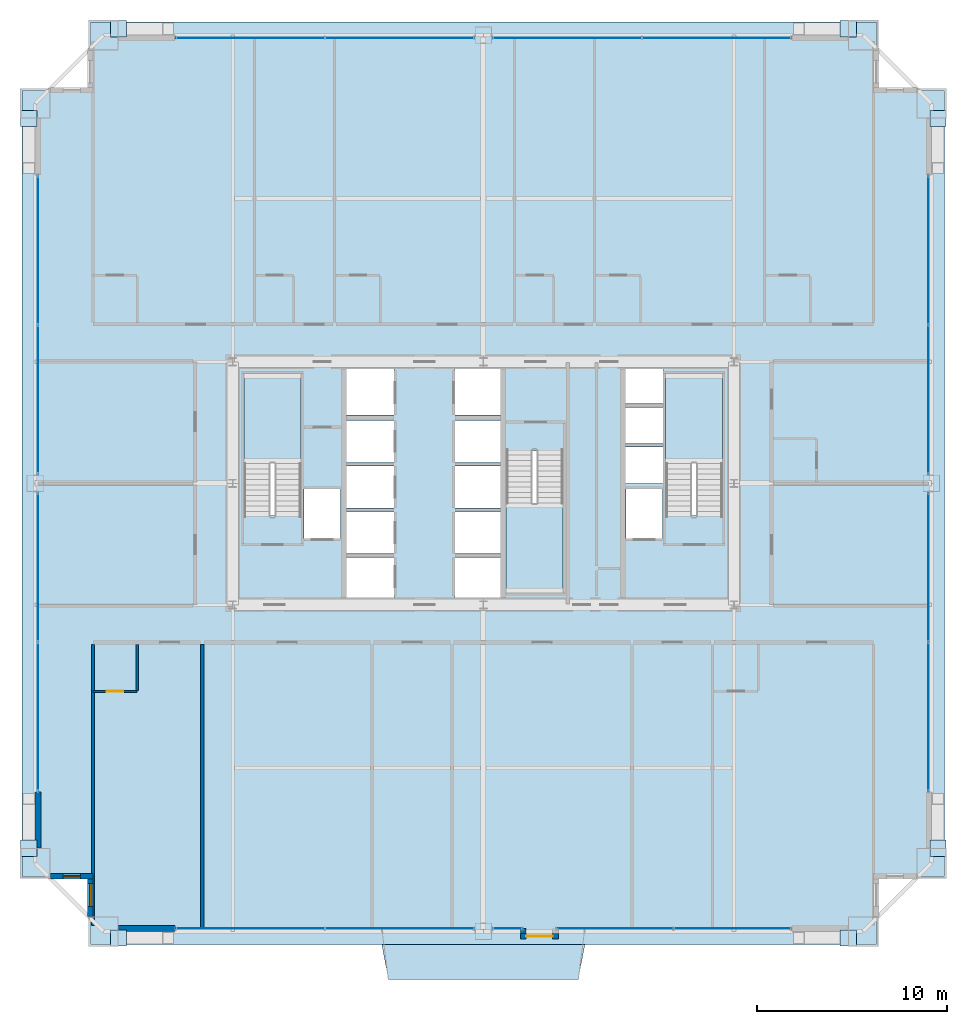
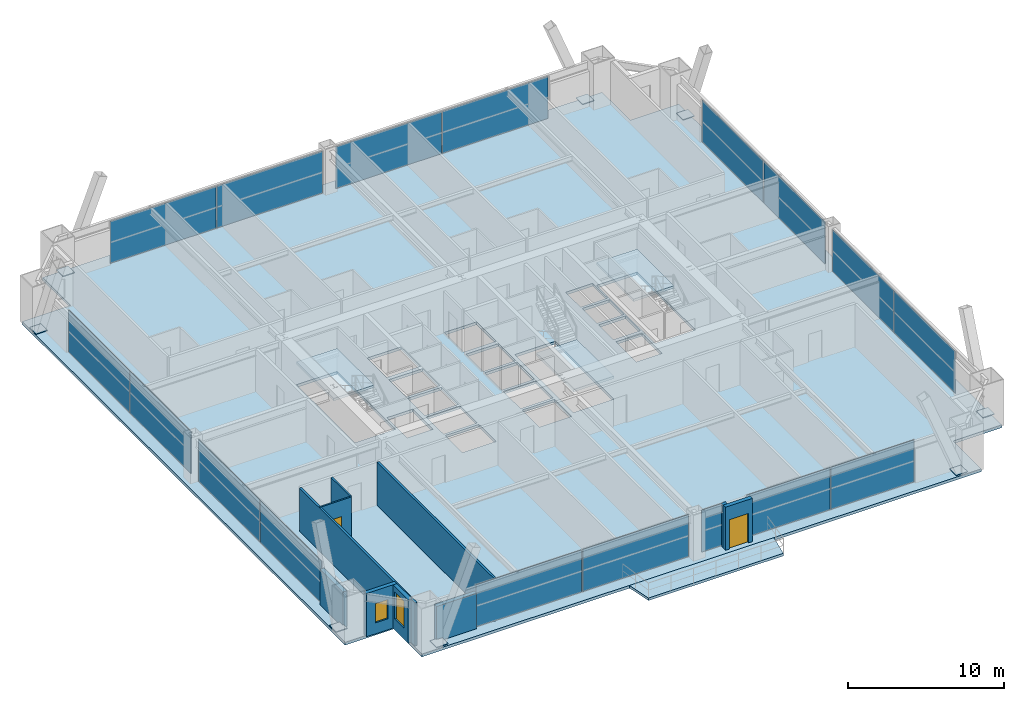
# One storey, part 36 of 41: 25 plates, 10 walls, 5 slabs, 2 doors, 2 windows, 4 openings, 12 elements without a shape of their own.
"""IFC4 building model written with IfcOpenShell, lengths in metres."""

from ifc_helpers import new_model, si_unit, direction, frame, frame_2d, origin, origin_2d, place, context, subcontext, project, spatial, polyline, rectangle, outline, extrude, source, transform, mapped, material, layer, layer_set, type_object, element, fill, aggregate, save


model = new_model("IFC4")

# Units and contexts
model_context = context("Model", 3, precision=1e-05, world=origin(), true_north=direction((0.0, 1.0)))
body_context = subcontext(model_context, "Body", "Model", "MODEL_VIEW")
ifc_project = project(units=[si_unit("LENGTHUNIT", "METRE"), si_unit("AREAUNIT", "SQUARE_METRE"), si_unit("VOLUMEUNIT", "CUBIC_METRE"), si_unit("PLANEANGLEUNIT", "RADIAN"), si_unit("MASSUNIT", "GRAM", prefix="KILO"), si_unit("THERMODYNAMICTEMPERATUREUNIT", "KELVIN"), si_unit("POWERUNIT", "WATT")], contexts=[model_context])

# Site, building, storey
site_placement = place(None, origin())
site = spatial("IfcSite", under=ifc_project, at=site_placement, CompositionType="ELEMENT")
building_placement = place(site_placement, origin())
building = spatial("IfcBuilding", under=site, at=building_placement, Name="Yuzanri Waterfront Tower", CompositionType="ELEMENT")
storey_placement = place(building_placement, frame((0.0, 0.0, 152.39990234375)))
storey = spatial("IfcBuildingStorey", under=building, at=storey_placement, Name="L40", CompositionType="ELEMENT", Elevation=152.39990234375)

# Slab
ifc_material_1 = material(Name="Concrete C40", Category="concrete")
ifc_layer_1 = layer(ifc_material_1, 0.199951171875)
ifc_layer_set_1 = layer_set([ifc_layer_1], Name="Concrete C40")
slab_type_1 = type_object("IfcSlabType", Name="Concrete C40 Cantilevered Engawa Wave Terrace Slab 200", PredefinedType="FLOOR", material=ifc_layer_set_1)
slab_1_placement = place(storey_placement, frame((0.0, 0.0, -0.199951171875)))
element("IfcSlab", 1, at=slab_1_placement, inside=storey, type_object=slab_type_1, Name="L40 S Cantilevered Engawa Terrace Slab", PredefinedType="FLOOR", context=body_context, shape_type="SweptSolid", body=[
    extrude(outline(polyline([(31.654052734375, 1.5), (42.345947265625, 1.5), (41.99609375, -0.33203125), (32.00390625, -0.33203125), (31.654052734375, 1.5)])), origin(), (0.0, 0.0, 1.0), 0.199951171875),
])

# Stair, slab
ifc_material_2 = material(Name="Concrete C40", Category="concrete")
stair_type = type_object("IfcStairType", Name="Concrete C40 Core Dogleg Exit Stair", PredefinedType="HALF_TURN_STAIR", material=ifc_material_2)
stair_1_placement = place(storey_placement, origin())
stair_1 = element("IfcStair", 2, at=stair_1_placement, inside=storey, type_object=stair_type, Name="L40 Smoke-Proof Core Stair ST-01", PredefinedType="HALF_TURN_STAIR")
ifc_material_3 = material(Name="Concrete C40", Category="concrete")
ifc_layer_2 = layer(ifc_material_3, 0.179931640625)
ifc_layer_set_2 = layer_set([ifc_layer_2], Name="Concrete C40")
slab_type_2 = type_object("IfcSlabType", Name="Concrete C40 Stair Half-Landing Slab 180", PredefinedType="LANDING", material=ifc_layer_set_2)
slab_2_placement = place(storey_placement, frame((0.0, 0.0, 1.60009765625)))
slab_2 = element("IfcSlab", 3, at=slab_2_placement, type_object=slab_type_2, Name="ST-01 landing 1", PredefinedType="LANDING", context=body_context, shape_type="SweptSolid", body=[
    extrude(outline(polyline([(27.39990234375, 26.840087890625), (27.39990234375, 31.580078125), (24.39990234375, 31.580078125), (24.39990234375, 26.840087890625), (27.39990234375, 26.840087890625)])), origin(), (0.0, 0.0, 1.0), 0.199951171875),
])
aggregate(stair_1, [slab_2])

stair_2_placement = place(storey_placement, origin())
stair_2 = element("IfcStair", 4, at=stair_2_placement, inside=storey, type_object=stair_type, Name="L40 Smoke-Proof Core Stair ST-02", PredefinedType="HALF_TURN_STAIR")
slab_3_placement = place(storey_placement, frame((0.0, 0.0, 1.60009765625)))
slab_3 = element("IfcSlab", 5, at=slab_3_placement, type_object=slab_type_2, Name="ST-02 landing 1", PredefinedType="LANDING", context=body_context, shape_type="SweptSolid", body=[
    extrude(outline(polyline([(49.60009765625, 26.840087890625), (49.60009765625, 31.580078125), (46.60009765625, 31.580078125), (46.60009765625, 26.840087890625), (49.60009765625, 26.840087890625)])), origin(), (0.0, 0.0, 1.0), 0.199951171875),
])
aggregate(stair_2, [slab_3])

stair_3_placement = place(storey_placement, origin())
stair_3 = element("IfcStair", 6, at=stair_3_placement, inside=storey, type_object=stair_type, Name="L40 Smoke-Proof Core Stair ST-03", PredefinedType="HALF_TURN_STAIR")
slab_4_placement = place(storey_placement, frame((0.0, 0.0, 1.60009765625)))
slab_4 = element("IfcSlab", 7, at=slab_4_placement, type_object=slab_type_2, Name="ST-03 landing 1", PredefinedType="LANDING", context=body_context, shape_type="SweptSolid", body=[
    extrude(outline(polyline([(38.199951171875, 24.760009765625), (38.199951171875, 20.02001953125), (41.199951171875, 20.02001953125), (41.199951171875, 24.760009765625), (38.199951171875, 24.760009765625)])), origin(), (0.0, 0.0, 1.0), 0.199951171875),
])
aggregate(stair_3, [slab_4])

# Slab
ifc_material_4 = material(Name="Concrete C40", Category="concrete")
ifc_layer_3 = layer(ifc_material_4, 0.219970703125)
ifc_layer_set_3 = layer_set([ifc_layer_3], Name="Concrete C40")
slab_type_3 = type_object("IfcSlabType", Name="Concrete C40 Tower Typical Structural Floor Slab 220", PredefinedType="FLOOR", material=ifc_layer_set_3)
slab_5_placement = place(storey_placement, frame((0.0, 0.0, -0.219970703125)))
element("IfcSlab", 8, at=slab_5_placement, inside=storey, type_object=slab_type_3, Name="L40 Main Structural Floor Slab", PredefinedType="FLOOR", context=body_context, shape_type="SweptSolid", body=[
    extrude(outline(polyline([(16.300048828125, 1.5), (57.699951171875, 1.5), (57.699951171875, 5.10009765625), (61.300048828125, 5.10009765625), (61.300048828125, 46.5), (57.699951171875, 46.5), (57.699951171875, 50.10009765625), (16.300048828125, 50.10009765625), (16.300048828125, 46.5), (12.699951171875, 46.5), (12.699951171875, 5.10009765625), (16.300048828125, 5.10009765625), (16.300048828125, 1.5)]), holes=[polyline([(27.39990234375, 24.10009765625), (27.39990234375, 31.580078125), (24.39990234375, 31.580078125), (24.39990234375, 24.10009765625), (27.39990234375, 24.10009765625)]), polyline([(49.60009765625, 24.10009765625), (49.60009765625, 31.580078125), (46.60009765625, 31.580078125), (46.60009765625, 24.10009765625), (49.60009765625, 24.10009765625)]), polyline([(38.199951171875, 27.5), (38.199951171875, 20.02001953125), (41.199951171875, 20.02001953125), (41.199951171875, 27.5), (38.199951171875, 27.5)]), polyline([(27.56005859375, 22.89990234375), (29.47998046875, 22.89990234375), (29.47998046875, 25.5), (27.56005859375, 25.5), (27.56005859375, 22.89990234375)]), polyline([(44.52001953125, 22.89990234375), (46.43994140625, 22.89990234375), (46.43994140625, 25.5), (44.52001953125, 25.5), (44.52001953125, 22.89990234375)]), polyline([(29.800048828125, 19.699951171875), (32.300048828125, 19.699951171875), (32.300048828125, 21.89990234375), (29.800048828125, 21.89990234375), (29.800048828125, 19.699951171875)]), polyline([(29.800048828125, 22.10009765625), (32.300048828125, 22.10009765625), (32.300048828125, 24.300048828125), (29.800048828125, 24.300048828125), (29.800048828125, 22.10009765625)]), polyline([(29.800048828125, 24.5), (32.300048828125, 24.5), (32.300048828125, 26.699951171875), (29.800048828125, 26.699951171875), (29.800048828125, 24.5)]), polyline([(29.800048828125, 26.89990234375), (32.300048828125, 26.89990234375), (32.300048828125, 29.10009765625), (29.800048828125, 29.10009765625), (29.800048828125, 26.89990234375)]), polyline([(29.800048828125, 29.39990234375), (32.300048828125, 29.39990234375), (32.300048828125, 31.89990234375), (29.800048828125, 31.89990234375), (29.800048828125, 29.39990234375)]), polyline([(35.5, 19.699951171875), (37.89990234375, 19.699951171875), (37.89990234375, 21.89990234375), (35.5, 21.89990234375), (35.5, 19.699951171875)]), polyline([(35.5, 22.10009765625), (37.89990234375, 22.10009765625), (37.89990234375, 24.300048828125), (35.5, 24.300048828125), (35.5, 22.10009765625)]), polyline([(35.5, 24.5), (37.89990234375, 24.5), (37.89990234375, 26.699951171875), (35.5, 26.699951171875), (35.5, 24.5)]), polyline([(35.5, 26.89990234375), (37.89990234375, 26.89990234375), (37.89990234375, 29.10009765625), (35.5, 29.10009765625), (35.5, 26.89990234375)]), polyline([(35.5, 29.39990234375), (37.89990234375, 29.39990234375), (37.89990234375, 31.89990234375), (35.5, 31.89990234375), (35.5, 29.39990234375)]), polyline([(44.5, 25.800048828125), (46.5, 25.800048828125), (46.5, 27.699951171875), (44.5, 27.699951171875), (44.5, 25.800048828125)]), polyline([(44.5, 27.89990234375), (46.5, 27.89990234375), (46.5, 29.800048828125), (44.5, 29.800048828125), (44.5, 27.89990234375)]), polyline([(44.5, 30.0), (46.5, 30.0), (46.5, 31.89990234375), (44.5, 31.89990234375), (44.5, 30.0)])]), origin(), (0.0, 0.0, 1.0), 0.219970703125),
])

# Plates
ifc_material_5 = material(Name="Steel Q420GJC", Category="steel")
ifc_layer_4 = layer(ifc_material_5, 0.0400390625)
ifc_layer_set_4 = layer_set([ifc_layer_4], Name="Steel Q420GJC")
plate_type_1 = type_object("IfcPlateType", Name="Steel Q420GJC Mega-Brace Gusset and End-Cap Plate 40", PredefinedType="SHEET", material=ifc_layer_set_4)
shared_shape_1 = source(origin(), body_context, "Body", "SweptSolid", [
    extrude(rectangle(XDim=0.85009765625, YDim=0.85009765625, at=origin_2d()), origin(), (0.0, 0.0, 1.0), 0.0400390625),
])
for number, where, z_axis, x_axis, name in (
    (9, (17.780029296875, 1.860107421875, 0.16015625), (0.0, 0.0, 1.0), (1.0, 0.0, 0.0), "L40 Mega-Brace Foot Cap Plate S-L"),
    (10, (56.219970703125, 1.860107421875, 0.16015625), (0.0, 0.0, 1.0), (1.0, 0.0, 0.0), "L40 Mega-Brace Foot Cap Plate S-R"),
    (11, (17.780029296875, 49.739990234375, 0.16015625), (0.0, 0.0, 1.0), (1.0, 0.0, 0.0), "L40 Mega-Brace Foot Cap Plate N-L"),
    (12, (56.219970703125, 49.739990234375, 0.16015625), (0.0, 0.0, 1.0), (1.0, 0.0, 0.0), "L40 Mega-Brace Foot Cap Plate N-R"),
    (13, (13.06005859375, 6.580078125, 0.16015625), (0.0, 0.0, 1.0), (1.0, 0.0, 0.0), "L40 Mega-Brace Foot Cap Plate W-L"),
    (14, (13.06005859375, 45.02001953125, 0.16015625), (0.0, 0.0, 1.0), (1.0, 0.0, 0.0), "L40 Mega-Brace Foot Cap Plate W-R"),
    (15, (60.93994140625, 6.580078125, 0.16015625), (0.0, 0.0, 1.0), (1.0, 0.0, 0.0), "L40 Mega-Brace Foot Cap Plate E-L"),
    (16, (60.93994140625, 45.02001953125, 0.16015625), (0.0, 0.0, 1.0), (1.0, 0.0, 0.0), "L40 Mega-Brace Foot Cap Plate E-R"),
):
    element("IfcPlate", number, at=place(storey_placement, frame(where, z_axis=z_axis, x_axis=x_axis)), inside=storey, type_object=plate_type_1, Name=name, PredefinedType="SHEET", context=body_context, shape_type="MappedRepresentation", body=[
        mapped(shared_shape_1, transform((0.0, 0.0, 0.0), scale=1.0)),
    ])

# Curtain wall, plates
ifc_material_6 = material(Name="Anodized Architectural Bronze", Category="metal")
ifc_layer_5 = layer(ifc_material_6, 0.159912109375)
ifc_layer_set_5 = layer_set([ifc_layer_5], Name="Anodized Architectural Bronze")
curtain_wall_type = type_object("IfcCurtainWallType", Name="Anodized Bronze Hotel Upper-Tier Solar-Control Unitized Curtain Wall 7800", PredefinedType="NOTDEFINED", material=ifc_layer_set_5)
curtain_wall_1_placement = place(storey_placement, origin())
curtain_wall_1 = element("IfcCurtainWall", 17, at=curtain_wall_1_placement, inside=storey, type_object=curtain_wall_type, Name="L40 Curtain Wall CW-L40-SL", PredefinedType="NOTDEFINED")
ifc_material_7 = material(Name="Double-Silver Low-E Insulated Glass", Category="glass")
ifc_layer_6 = layer(ifc_material_7, 0.035888671875)
ifc_layer_set_6 = layer_set([ifc_layer_6], Name="Double-Silver Low-E Insulated Glass")
plate_type_2 = type_object("IfcPlateType", Name="Double Silver Low-E Insulated Vision Glass Panel 36", PredefinedType="CURTAIN_PANEL", material=ifc_layer_set_6)
shared_shape_2 = source(origin(), body_context, "Body", "SweptSolid", [
    extrude(rectangle(XDim=7.820068359375, YDim=0.035888671875, at=origin_2d()), origin(), (0.0, 0.0, 1.0), 3.280029296875),
])
plate_1_placement = place(storey_placement, frame((24.699951171875, 2.35009765625, 0.05029296875), z_axis=(0.0, 0.0, 1.0), x_axis=(1.0, 0.0, 0.0)))
plate_1 = element("IfcPlate", 18, at=plate_1_placement, type_object=plate_type_2, Name="CW-L40-SL Vision Glass Panel 01", PredefinedType="CURTAIN_PANEL", context=body_context, shape_type="MappedRepresentation", body=[
    mapped(shared_shape_2, transform((0.0, 0.0, 0.0), scale=1.0)),
])
plate_2_placement = place(storey_placement, frame((32.60009765625, 2.35009765625, 0.05029296875), z_axis=(0.0, 0.0, 1.0), x_axis=(1.0, 0.0, 0.0)))
plate_2 = element("IfcPlate", 19, at=plate_2_placement, type_object=plate_type_2, Name="CW-L40-SL Vision Glass Panel 02", PredefinedType="CURTAIN_PANEL", context=body_context, shape_type="MappedRepresentation", body=[
    mapped(shared_shape_2, transform((0.0, 0.0, 0.0), scale=1.0)),
])
aggregate(curtain_wall_1, [plate_1, plate_2])

curtain_wall_2_placement = place(storey_placement, origin())
curtain_wall_2 = element("IfcCurtainWall", 20, at=curtain_wall_2_placement, inside=storey, type_object=curtain_wall_type, Name="L40 Curtain Wall CW-L40-NL", PredefinedType="NOTDEFINED")
plate_3_placement = place(storey_placement, frame((24.699951171875, 49.25, 0.05029296875), z_axis=(0.0, 0.0, 1.0), x_axis=(1.0, 0.0, 0.0)))
plate_3 = element("IfcPlate", 21, at=plate_3_placement, type_object=plate_type_2, Name="CW-L40-NL Vision Glass Panel 01", PredefinedType="CURTAIN_PANEL", context=body_context, shape_type="MappedRepresentation", body=[
    mapped(shared_shape_2, transform((0.0, 0.0, 0.0), scale=1.0)),
])
plate_4_placement = place(storey_placement, frame((32.60009765625, 49.25, 0.05029296875), z_axis=(0.0, 0.0, 1.0), x_axis=(1.0, 0.0, 0.0)))
plate_4 = element("IfcPlate", 22, at=plate_4_placement, type_object=plate_type_2, Name="CW-L40-NL Vision Glass Panel 02", PredefinedType="CURTAIN_PANEL", context=body_context, shape_type="MappedRepresentation", body=[
    mapped(shared_shape_2, transform((0.0, 0.0, 0.0), scale=1.0)),
])
aggregate(curtain_wall_2, [plate_3, plate_4])

curtain_wall_3_placement = place(storey_placement, origin())
curtain_wall_3 = element("IfcCurtainWall", 23, at=curtain_wall_3_placement, inside=storey, type_object=curtain_wall_type, Name="L40 Curtain Wall CW-L40-NR", PredefinedType="NOTDEFINED")
plate_5_placement = place(storey_placement, frame((41.39990234375, 49.25, 0.05029296875), z_axis=(0.0, 0.0, 1.0), x_axis=(1.0, 0.0, 0.0)))
plate_5 = element("IfcPlate", 24, at=plate_5_placement, type_object=plate_type_2, Name="CW-L40-NR Vision Glass Panel 01", PredefinedType="CURTAIN_PANEL", context=body_context, shape_type="MappedRepresentation", body=[
    mapped(shared_shape_2, transform((0.0, 0.0, 0.0), scale=1.0)),
])
plate_6_placement = place(storey_placement, frame((49.300048828125, 49.25, 0.05029296875), z_axis=(0.0, 0.0, 1.0), x_axis=(1.0, 0.0, 0.0)))
plate_6 = element("IfcPlate", 25, at=plate_6_placement, type_object=plate_type_2, Name="CW-L40-NR Vision Glass Panel 02", PredefinedType="CURTAIN_PANEL", context=body_context, shape_type="MappedRepresentation", body=[
    mapped(shared_shape_2, transform((0.0, 0.0, 0.0), scale=1.0)),
])
aggregate(curtain_wall_3, [plate_5, plate_6])

curtain_wall_4_placement = place(storey_placement, origin())
curtain_wall_4 = element("IfcCurtainWall", 26, at=curtain_wall_4_placement, inside=storey, type_object=curtain_wall_type, Name="L40 Curtain Wall CW-L40-WL", PredefinedType="NOTDEFINED")
plate_7_placement = place(storey_placement, frame((13.550048828125, 13.5, 0.05029296875), z_axis=(0.0, 0.0, 1.0), x_axis=(0.0, 1.0, 0.0)))
plate_7 = element("IfcPlate", 27, at=plate_7_placement, type_object=plate_type_2, Name="CW-L40-WL Vision Glass Panel 01", PredefinedType="CURTAIN_PANEL", context=body_context, shape_type="MappedRepresentation", body=[
    mapped(shared_shape_2, transform((0.0, 0.0, 0.0), scale=1.0)),
])
plate_8_placement = place(storey_placement, frame((13.550048828125, 21.39990234375, 0.05029296875), z_axis=(0.0, 0.0, 1.0), x_axis=(0.0, 1.0, 0.0)))
plate_8 = element("IfcPlate", 28, at=plate_8_placement, type_object=plate_type_2, Name="CW-L40-WL Vision Glass Panel 02", PredefinedType="CURTAIN_PANEL", context=body_context, shape_type="MappedRepresentation", body=[
    mapped(shared_shape_2, transform((0.0, 0.0, 0.0), scale=1.0)),
])
aggregate(curtain_wall_4, [plate_7, plate_8])

curtain_wall_5_placement = place(storey_placement, origin())
curtain_wall_5 = element("IfcCurtainWall", 29, at=curtain_wall_5_placement, inside=storey, type_object=curtain_wall_type, Name="L40 Curtain Wall CW-L40-WR", PredefinedType="NOTDEFINED")
plate_9_placement = place(storey_placement, frame((13.550048828125, 30.199951171875, 0.05029296875), z_axis=(0.0, 0.0, 1.0), x_axis=(0.0, 1.0, 0.0)))
plate_9 = element("IfcPlate", 30, at=plate_9_placement, type_object=plate_type_2, Name="CW-L40-WR Vision Glass Panel 01", PredefinedType="CURTAIN_PANEL", context=body_context, shape_type="MappedRepresentation", body=[
    mapped(shared_shape_2, transform((0.0, 0.0, 0.0), scale=1.0)),
])
plate_10_placement = place(storey_placement, frame((13.550048828125, 38.10009765625, 0.05029296875), z_axis=(0.0, 0.0, 1.0), x_axis=(0.0, 1.0, 0.0)))
plate_10 = element("IfcPlate", 31, at=plate_10_placement, type_object=plate_type_2, Name="CW-L40-WR Vision Glass Panel 02", PredefinedType="CURTAIN_PANEL", context=body_context, shape_type="MappedRepresentation", body=[
    mapped(shared_shape_2, transform((0.0, 0.0, 0.0), scale=1.0)),
])
aggregate(curtain_wall_5, [plate_9, plate_10])

curtain_wall_6_placement = place(storey_placement, origin())
curtain_wall_6 = element("IfcCurtainWall", 32, at=curtain_wall_6_placement, inside=storey, type_object=curtain_wall_type, Name="L40 Curtain Wall CW-L40-EL", PredefinedType="NOTDEFINED")
plate_11_placement = place(storey_placement, frame((60.449951171875, 13.5, 0.05029296875), z_axis=(0.0, 0.0, 1.0), x_axis=(0.0, 1.0, 0.0)))
plate_11 = element("IfcPlate", 33, at=plate_11_placement, type_object=plate_type_2, Name="CW-L40-EL Vision Glass Panel 01", PredefinedType="CURTAIN_PANEL", context=body_context, shape_type="MappedRepresentation", body=[
    mapped(shared_shape_2, transform((0.0, 0.0, 0.0), scale=1.0)),
])
plate_12_placement = place(storey_placement, frame((60.449951171875, 21.39990234375, 0.05029296875), z_axis=(0.0, 0.0, 1.0), x_axis=(0.0, 1.0, 0.0)))
plate_12 = element("IfcPlate", 34, at=plate_12_placement, type_object=plate_type_2, Name="CW-L40-EL Vision Glass Panel 02", PredefinedType="CURTAIN_PANEL", context=body_context, shape_type="MappedRepresentation", body=[
    mapped(shared_shape_2, transform((0.0, 0.0, 0.0), scale=1.0)),
])
aggregate(curtain_wall_6, [plate_11, plate_12])

curtain_wall_7_placement = place(storey_placement, origin())
curtain_wall_7 = element("IfcCurtainWall", 35, at=curtain_wall_7_placement, inside=storey, type_object=curtain_wall_type, Name="L40 Curtain Wall CW-L40-ER", PredefinedType="NOTDEFINED")
plate_13_placement = place(storey_placement, frame((60.449951171875, 30.199951171875, 0.05029296875), z_axis=(0.0, 0.0, 1.0), x_axis=(0.0, 1.0, 0.0)))
plate_13 = element("IfcPlate", 36, at=plate_13_placement, type_object=plate_type_2, Name="CW-L40-ER Vision Glass Panel 01", PredefinedType="CURTAIN_PANEL", context=body_context, shape_type="MappedRepresentation", body=[
    mapped(shared_shape_2, transform((0.0, 0.0, 0.0), scale=1.0)),
])
plate_14_placement = place(storey_placement, frame((60.449951171875, 38.10009765625, 0.05029296875), z_axis=(0.0, 0.0, 1.0), x_axis=(0.0, 1.0, 0.0)))
plate_14 = element("IfcPlate", 37, at=plate_14_placement, type_object=plate_type_2, Name="CW-L40-ER Vision Glass Panel 02", PredefinedType="CURTAIN_PANEL", context=body_context, shape_type="MappedRepresentation", body=[
    mapped(shared_shape_2, transform((0.0, 0.0, 0.0), scale=1.0)),
])
aggregate(curtain_wall_7, [plate_13, plate_14])

# Curtain wall, plate
curtain_wall_8_placement = place(storey_placement, origin())
curtain_wall_8 = element("IfcCurtainWall", 38, at=curtain_wall_8_placement, inside=storey, type_object=curtain_wall_type, Name="L40 Curtain Wall CW-L40-SR1", PredefinedType="NOTDEFINED")
shared_shape_3 = source(origin(), body_context, "Body", "SweptSolid", [
    extrude(rectangle(XDim=1.568115234375, YDim=0.035888671875, at=origin_2d()), origin(), (0.0, 0.0, 1.0), 3.280029296875),
])
plate_15_placement = place(storey_placement, frame((38.27392578125, 2.35009765625, 0.05029296875), z_axis=(0.0, 0.0, 1.0), x_axis=(1.0, 0.0, 0.0)))
plate_15 = element("IfcPlate", 39, at=plate_15_placement, type_object=plate_type_2, Name="CW-L40-SR1 Vision Glass Panel 01", PredefinedType="CURTAIN_PANEL", context=body_context, shape_type="MappedRepresentation", body=[
    mapped(shared_shape_3, transform((0.0, 0.0, 0.0), scale=1.0)),
])
aggregate(curtain_wall_8, [plate_15])

# Curtain wall, plates
curtain_wall_9_placement = place(storey_placement, origin())
curtain_wall_9 = element("IfcCurtainWall", 40, at=curtain_wall_9_placement, inside=storey, type_object=curtain_wall_type, Name="L40 Curtain Wall CW-L40-SR2", PredefinedType="NOTDEFINED")
shared_shape_4 = source(origin(), body_context, "Body", "SweptSolid", [
    extrude(rectangle(XDim=6.14599609375, YDim=0.035888671875, at=origin_2d()), origin(), (0.0, 0.0, 1.0), 3.280029296875),
])
plate_16_placement = place(storey_placement, frame((43.910888671875, 2.35009765625, 0.05029296875), z_axis=(0.0, 0.0, 1.0), x_axis=(1.0, 0.0, 0.0)))
plate_16 = element("IfcPlate", 41, at=plate_16_placement, type_object=plate_type_2, Name="CW-L40-SR2 Vision Glass Panel 01", PredefinedType="CURTAIN_PANEL", context=body_context, shape_type="MappedRepresentation", body=[
    mapped(shared_shape_4, transform((0.0, 0.0, 0.0), scale=1.0)),
])
plate_17_placement = place(storey_placement, frame((50.136962890625, 2.35009765625, 0.05029296875), z_axis=(0.0, 0.0, 1.0), x_axis=(1.0, 0.0, 0.0)))
plate_17 = element("IfcPlate", 42, at=plate_17_placement, type_object=plate_type_2, Name="CW-L40-SR2 Vision Glass Panel 02", PredefinedType="CURTAIN_PANEL", context=body_context, shape_type="MappedRepresentation", body=[
    mapped(shared_shape_4, transform((0.0, 0.0, 0.0), scale=1.0)),
])
aggregate(curtain_wall_9, [plate_16, plate_17])

# Wall, opening, door
ifc_material_8 = material(Name="Moisture-Resistant Gypsum Stud Wall", Category="gypsum")
ifc_layer_7 = layer(ifc_material_8, 0.1201171875)
ifc_layer_set_7 = layer_set([ifc_layer_7], Name="Moisture-Resistant Gypsum Stud Wall")
wall_type_1 = type_object("IfcWallType", Name="Bathroom and Kitchen Wet Partition 120", PredefinedType="PARTITIONING", material=ifc_layer_set_7)
wall_1_placement = place(storey_placement, frame((16.43994140625, 14.840087890625, 0.0), z_axis=(0.0, 0.0, 1.0), x_axis=(1.0, 0.0, 0.0)))
wall_1 = element("IfcWall", 43, at=wall_1_placement, inside=storey, type_object=wall_type_1, Name="L40 Partition UW-L40-S1-BS", PredefinedType="PARTITIONING", context=body_context, shape_type="SweptSolid", body=[
    extrude(rectangle(XDim=2.330078125, YDim=0.1201171875, at=frame_2d((1.1650390625, 0.0))), origin(), (0.0, 0.0, 1.0), 3.380126953125),
])
opening_1_placement = place(wall_1_placement, frame((0.739990234375, 0.0, 0.0)))
opening_1 = element("IfcOpeningElement", 44, at=opening_1_placement, cuts=wall_1, Name="Opening ID-0850", PredefinedType="OPENING", context=body_context, shape_type="SweptSolid", body=[
    extrude(rectangle(XDim=0.85009765625, YDim=2.10009765625, at=frame_2d((0.425048828125, 1.050048828125))), frame((0.0, 0.074951171875, 0.0), z_axis=(0.0, -1.0, 0.0), x_axis=(1.0, 0.0, 0.0)), (0.0, 0.0, 1.0), 0.14990234375),
])
ifc_material_9 = material(Name="Moisture-Resistant Lacquered Timber", Category="wood")
door_type_1 = type_object("IfcDoorType", Name="En-Suite Bathroom and Kitchen Swing Door 850x2100", OperationType="NOTDEFINED", PredefinedType="DOOR", material=ifc_material_9)
shared_shape_5 = source(origin(), body_context, "Body", "SweptSolid", [
    extrude(rectangle(XDim=0.85009765625, YDim=2.10009765625, at=frame_2d((0.425048828125, 1.050048828125))), frame((0.0, 0.02490234375, 0.0), z_axis=(0.0, -1.0, 0.0), x_axis=(1.0, 0.0, 0.0)), (0.0, 0.0, 1.0), 0.050048828125),
])
door_1_placement = place(opening_1_placement, origin())
door_1 = element("IfcDoor", 45, at=door_1_placement, inside=storey, type_object=door_type_1, Name="L40 Guest En-Suite Door", OperationType="SINGLE_SWING_LEFT", OverallHeight=2.10009765625, OverallWidth=0.85009765625, PredefinedType="DOOR", context=body_context, shape_type="MappedRepresentation", body=[
    mapped(shared_shape_5, transform((0.0, 0.0, 0.0), scale=1.0)),
])
fill(opening_1, door_1)

# Wall, opening, window
ifc_material_10 = material(Name="Honed Chongqing Dark Basalt Stone", Category="masonry")
ifc_layer_8 = layer(ifc_material_10, 0.300048828125)
ifc_layer_set_8 = layer_set([ifc_layer_8], Name="Honed Chongqing Dark Basalt Stone")
wall_type_2 = type_object("IfcWallType", Name="Bronze Rainscreen Insulated Spandrel Portal Wall 300", PredefinedType="SOLIDWALL", material=ifc_layer_set_8)
wall_2_placement = place(storey_placement, frame((14.199951171875, 5.10009765625, 0.0), z_axis=(0.0, 0.0, 1.0), x_axis=(1.0, 0.0, 0.0)))
wall_2 = element("IfcWall", 46, at=wall_2_placement, inside=storey, type_object=wall_type_2, Name="L40 Notched Corner Masonry Wall SW-X", PredefinedType="SOLIDWALL", context=body_context, shape_type="SweptSolid", body=[
    extrude(rectangle(XDim=2.25, YDim=0.300048828125, at=frame_2d((1.125, 0.0))), origin(), (0.0, 0.0, 1.0), 3.380126953125),
])
opening_2_placement = place(wall_2_placement, frame((0.675048828125, 0.0, 0.85009765625)))
opening_2 = element("IfcOpeningElement", 47, at=opening_2_placement, cuts=wall_2, Name="Opening WN-05", PredefinedType="OPENING", context=body_context, shape_type="SweptSolid", body=[
    extrude(rectangle(XDim=0.89990234375, YDim=1.5, at=frame_2d((0.449951171875, 0.75))), frame((0.0, 0.1650390625, 0.0), z_axis=(0.0, -1.0, 0.0), x_axis=(1.0, 0.0, 0.0)), (0.0, 0.0, 1.0), 0.329833984375),
])
ifc_material_11 = material(Name="Double-Silver Low-E Insulated Glass", Category="glass")
window_type_1 = type_object("IfcWindowType", Name="Anodized Bronze Service and Stairwell Smoke-Vent Window 900x1500", PartitioningType="SINGLE_PANEL", PredefinedType="WINDOW", material=ifc_material_11)
shared_shape_6 = source(origin(), body_context, "Body", "SweptSolid", [
    extrude(rectangle(XDim=0.89990234375, YDim=1.5, at=frame_2d((0.449951171875, 0.75))), frame((0.0, 0.030029296875, 0.0), z_axis=(0.0, -1.0, 0.0), x_axis=(1.0, 0.0, 0.0)), (0.0, 0.0, 1.0), 0.06005859375),
])
window_1_placement = place(opening_2_placement, origin())
window_1 = element("IfcWindow", 48, at=window_1_placement, inside=storey, type_object=window_type_1, Name="L40 Notched Corner Window SW-X", OverallHeight=1.5, OverallWidth=0.89990234375, PartitioningType="SINGLE_PANEL", PredefinedType="WINDOW", context=body_context, shape_type="MappedRepresentation", body=[
    mapped(shared_shape_6, transform((0.0, 0.0, 0.0), scale=1.0)),
])
fill(opening_2, window_1)

wall_3_placement = place(storey_placement, frame((16.300048828125, 5.25, 0.0), z_axis=(0.0, 0.0, 1.0), x_axis=(0.0, -1.0, 0.0)))
wall_3 = element("IfcWall", 49, at=wall_3_placement, inside=storey, type_object=wall_type_2, Name="L40 Notched Corner Masonry Wall SW-Y", PredefinedType="SOLIDWALL", context=body_context, shape_type="SweptSolid", body=[
    extrude(rectangle(XDim=2.25, YDim=0.300048828125, at=frame_2d((1.125, 0.0))), origin(), (0.0, 0.0, 1.0), 3.380126953125),
])
opening_3_placement = place(wall_3_placement, frame((0.52490234375, 0.0, 0.85009765625)))
opening_3 = element("IfcOpeningElement", 50, at=opening_3_placement, cuts=wall_3, Name="Opening WN-02", PredefinedType="OPENING", context=body_context, shape_type="SweptSolid", body=[
    extrude(rectangle(XDim=1.199951171875, YDim=2.10009765625, at=frame_2d((0.60009765625, 1.050048828125))), frame((0.0, 0.1650390625, 0.0), z_axis=(0.0, -1.0, 0.0), x_axis=(1.0, 0.0, 0.0)), (0.0, 0.0, 1.0), 0.329833984375),
])
ifc_material_12 = material(Name="Double-Silver Low-E Insulated Glass", Category="glass")
window_type_2 = type_object("IfcWindowType", Name="Anodized Bronze Notched Corner Deep-Set Slot Window 1200x2100", PartitioningType="SINGLE_PANEL", PredefinedType="WINDOW", material=ifc_material_12)
shared_shape_7 = source(origin(), body_context, "Body", "SweptSolid", [
    extrude(rectangle(XDim=1.199951171875, YDim=2.10009765625, at=frame_2d((0.60009765625, 1.050048828125))), frame((0.0, 0.030029296875, 0.0), z_axis=(0.0, -1.0, 0.0), x_axis=(1.0, 0.0, 0.0)), (0.0, 0.0, 1.0), 0.06005859375),
])
window_2_placement = place(opening_3_placement, origin())
window_2 = element("IfcWindow", 51, at=window_2_placement, inside=storey, type_object=window_type_2, Name="L40 Notched Corner Window SW-Y", OverallHeight=2.10009765625, OverallWidth=1.199951171875, PartitioningType="SINGLE_PANEL", PredefinedType="WINDOW", context=body_context, shape_type="MappedRepresentation", body=[
    mapped(shared_shape_7, transform((0.0, 0.0, 0.0), scale=1.0)),
])
fill(opening_3, window_2)

# Wall, opening, door
wall_4_placement = place(storey_placement, frame((38.947998046875, 1.949951171875, 0.0), z_axis=(0.0, 0.0, 1.0), x_axis=(1.0, 0.0, 0.0)))
wall_4 = element("IfcWall", 52, at=wall_4_placement, inside=storey, type_object=wall_type_2, Name="L40 S Terrace Door Portal Wall", PredefinedType="SOLIDWALL", context=body_context, shape_type="SweptSolid", body=[
    extrude(rectangle(XDim=2.0, YDim=0.300048828125, at=frame_2d((1.0, 0.0))), origin(), (0.0, 0.0, 1.0), 3.380126953125),
])
opening_4_placement = place(wall_4_placement, frame((0.300048828125, 0.0, 0.0)))
opening_4 = element("IfcOpeningElement", 53, at=opening_4_placement, cuts=wall_4, Name="Opening TD-1400", PredefinedType="OPENING", context=body_context, shape_type="SweptSolid", body=[
    extrude(rectangle(XDim=1.39990234375, YDim=2.300048828125, at=frame_2d((0.699951171875, 1.14990234375))), frame((0.0, 0.1650390625, 0.0), z_axis=(0.0, -1.0, 0.0), x_axis=(1.0, 0.0, 0.0)), (0.0, 0.0, 1.0), 0.329833984375),
])
ifc_material_13 = material(Name="Anodized Architectural Bronze", Category="metal")
door_type_2 = type_object("IfcDoorType", Name="Anodized Bronze Balcony and Terrace Glazed Double Door 1400x2300", OperationType="NOTDEFINED", PredefinedType="DOOR", material=ifc_material_13)
shared_shape_8 = source(origin(), body_context, "Body", "SweptSolid", [
    extrude(rectangle(XDim=1.39990234375, YDim=2.300048828125, at=frame_2d((0.699951171875, 1.14990234375))), frame((0.0, 0.02490234375, 0.0), z_axis=(0.0, -1.0, 0.0), x_axis=(1.0, 0.0, 0.0)), (0.0, 0.0, 1.0), 0.050048828125),
])
door_2_placement = place(opening_4_placement, origin())
door_2 = element("IfcDoor", 54, at=door_2_placement, inside=storey, type_object=door_type_2, Name="L40 S Terrace Glazed Double Door", OperationType="DOUBLE_DOOR_SINGLE_SWING", OverallHeight=2.300048828125, OverallWidth=1.39990234375, PredefinedType="DOOR", context=body_context, shape_type="MappedRepresentation", body=[
    mapped(shared_shape_8, transform((0.0, 0.0, 0.0), scale=1.0)),
])
fill(opening_4, door_2)

# Walls
shared_shape_9 = source(origin(), body_context, "Body", "SweptSolid", [
    extrude(rectangle(XDim=0.25, YDim=0.300048828125, at=frame_2d((0.125, 0.0))), origin(), (0.0, 0.0, 1.0), 3.380126953125),
])
wall_5_placement = place(storey_placement, frame((39.097900390625, 2.35009765625, 0.0), z_axis=(0.0, 0.0, 1.0), x_axis=(0.0, -1.0, 0.0)))
element("IfcWall", 55, at=wall_5_placement, inside=storey, type_object=wall_type_2, Name="L40 S Terrace Portal Left Return", PredefinedType="SOLIDWALL", context=body_context, shape_type="MappedRepresentation", body=[
    mapped(shared_shape_9, transform((0.0, 0.0, 0.0), scale=1.0)),
])
shared_shape_10 = source(origin(), body_context, "Body", "SweptSolid", [
    extrude(rectangle(XDim=2.949951171875, YDim=0.300048828125, at=frame_2d((1.47509765625, 0.0))), origin(), (0.0, 0.0, 1.0), 2.775146484375),
])
for number, where, z_axis, x_axis, name in (
    (56, (17.800048828125, 2.35009765625, 0.0), (0.0, 0.0, 1.0), (1.0, 0.0, 0.0), "L40 S Left Braced Masonry Shoulder"),
    (57, (13.550048828125, 6.60009765625, 0.0), (0.0, 0.0, 1.0), (0.0, 1.0, 0.0), "L40 W Left Braced Masonry Shoulder"),
):
    element("IfcWall", number, at=place(storey_placement, frame(where, z_axis=z_axis, x_axis=x_axis)), inside=storey, type_object=wall_type_2, Name=name, PredefinedType="SOLIDWALL", context=body_context, shape_type="MappedRepresentation", body=[
        mapped(shared_shape_10, transform((0.0, 0.0, 0.0), scale=1.0)),
    ])
shared_shape_11 = source(origin(), body_context, "Body", "SweptSolid", [
    extrude(rectangle(XDim=2.420166015625, YDim=0.1201171875, at=frame_2d((1.2099609375, 0.0))), origin(), (0.0, 0.0, 1.0), 3.380126953125),
])
wall_6_placement = place(storey_placement, frame((18.77001953125, 14.89990234375, 0.0), z_axis=(0.0, 0.0, 1.0), x_axis=(0.0, 1.0, 0.0)))
element("IfcWall", 58, at=wall_6_placement, inside=storey, type_object=wall_type_1, Name="L40-S1 En-Suite Side Wall", PredefinedType="PARTITIONING", context=body_context, shape_type="MappedRepresentation", body=[
    mapped(shared_shape_11, transform((0.0, 0.0, 0.0), scale=1.0)),
])
ifc_material_14 = material(Name="Gypsum Fireboard Acoustic Stud Wall", Category="gypsum")
ifc_layer_9 = layer(ifc_material_14, 0.159912109375)
ifc_layer_set_9 = layer_set([ifc_layer_9], Name="Gypsum Fireboard Acoustic Stud Wall")
wall_type_3 = type_object("IfcWallType", Name="Acoustic Suite Demising Partition 160", PredefinedType="PARTITIONING", material=ifc_layer_set_9)
shared_shape_12 = source(origin(), body_context, "Body", "SweptSolid", [
    extrude(rectangle(XDim=14.969970703125, YDim=0.159912109375, at=frame_2d((7.48486328125, 0.0))), origin(), (0.0, 0.0, 1.0), 3.380126953125),
])
wall_7_placement = place(storey_placement, frame((22.197021484375, 2.35009765625, 0.0), z_axis=(0.0, 0.0, 1.0), x_axis=(0.0, 1.0, 0.0)))
element("IfcWall", 59, at=wall_7_placement, inside=storey, type_object=wall_type_3, Name="L40-S1 Party Wall", PredefinedType="PARTITIONING", context=body_context, shape_type="MappedRepresentation", body=[
    mapped(shared_shape_12, transform((0.0, 0.0, 0.0), scale=1.0)),
])
shared_shape_13 = source(origin(), body_context, "Body", "SweptSolid", [
    extrude(rectangle(XDim=14.820068359375, YDim=0.159912109375, at=frame_2d((7.41015625, 0.0))), origin(), (0.0, 0.0, 1.0), 3.380126953125),
])
wall_8_placement = place(storey_placement, frame((16.449951171875, 2.5, 0.0), z_axis=(0.0, 0.0, 1.0), x_axis=(0.0, 1.0, 0.0)))
element("IfcWall", 60, at=wall_8_placement, inside=storey, type_object=wall_type_3, Name="L40 South Band West End Wall", PredefinedType="PARTITIONING", context=body_context, shape_type="MappedRepresentation", body=[
    mapped(shared_shape_13, transform((0.0, 0.0, 0.0), scale=1.0)),
])

save(model, "model.ifc")
